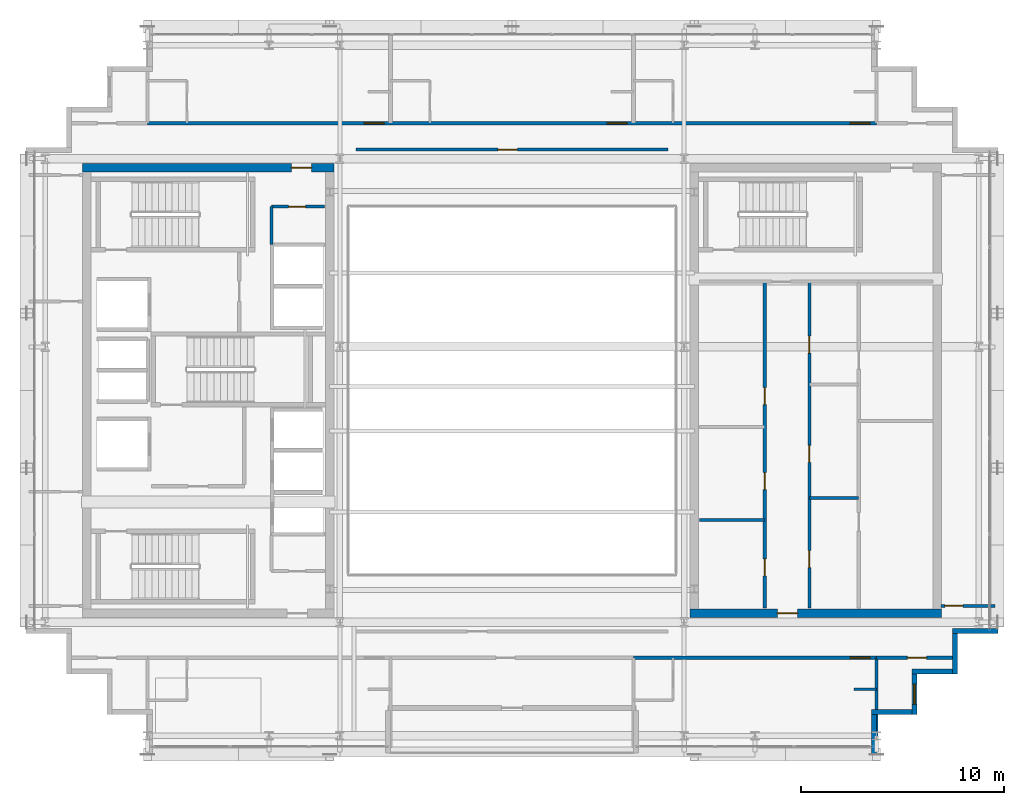
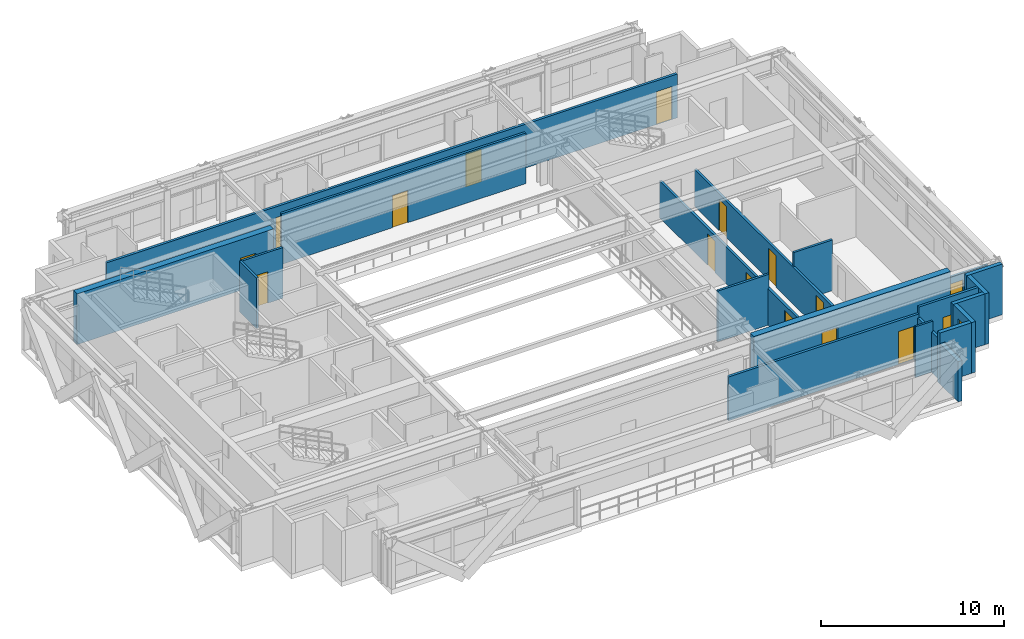
# One storey, part 23 of 29: 21 walls, 16 doors, 1 window, 17 openings.
"""IFC4 building model written with IfcOpenShell, lengths in metres."""

from ifc_helpers import new_model, si_unit, direction, frame, frame_2d, origin, place, context, subcontext, project, spatial, rectangle, extrude, source, transform, mapped, material, layer, layer_set, type_object, element, fill, save


model = new_model("IFC4")

# Units and contexts
model_context = context("Model", 3, precision=1e-05, world=origin(), true_north=direction((0.0, 1.0)))
body_context = subcontext(model_context, "Body", "Model", "MODEL_VIEW")
ifc_project = project(units=[si_unit("LENGTHUNIT", "METRE"), si_unit("AREAUNIT", "SQUARE_METRE"), si_unit("VOLUMEUNIT", "CUBIC_METRE"), si_unit("PLANEANGLEUNIT", "RADIAN"), si_unit("MASSUNIT", "GRAM", prefix="KILO")], contexts=[model_context])

# Site, building, storey
site_placement = place(None, origin())
site = spatial("IfcSite", under=ifc_project, at=site_placement, CompositionType="ELEMENT")
building_placement = place(site_placement, origin())
building = spatial("IfcBuilding", under=site, at=building_placement, Name="Ocotamira Hotel", CompositionType="ELEMENT")
storey_placement = place(building_placement, frame((0.0, 0.0, 247.199951171875)))
storey = spatial("IfcBuildingStorey", under=building, at=storey_placement, Name="L62", CompositionType="ELEMENT", Elevation=247.199951171875)

# Wall, opening, door
ifc_material_1 = material(Name="Concrete C50/60", Category="concrete")
ifc_layer_1 = layer(ifc_material_1, 0.39990234375)
ifc_layer_set_1 = layer_set([ifc_layer_1], Name="Concrete C50/60")
wall_type_1 = type_object("IfcWallType", Name="WL-CORE-400", PredefinedType="SHEAR", material=ifc_layer_set_1)
wall_1_placement = place(storey_placement, frame((10.800048828125, 37.0, 0.0), z_axis=(0.0, 0.0, 1.0), x_axis=(1.0, 0.0, 0.0)))
wall_1 = element("IfcWall", 1, at=wall_1_placement, inside=storey, type_object=wall_type_1, Name="L62 Shear Core Wall WCORE-N", PredefinedType="SHEAR", context=body_context, shape_type="SweptSolid", body=[
    extrude(rectangle(XDim=12.39990234375, YDim=0.39990234375, at=frame_2d((6.199951171875, 0.0))), origin(), (0.0, 0.0, 1.0), 3.380126953125),
])
opening_1_placement = place(wall_1_placement, frame((10.300048828125, 0.0, 0.0)))
opening_1 = element("IfcOpeningElement", 2, at=opening_1_placement, cuts=wall_1, Name="Opening D-FR2", PredefinedType="OPENING", context=body_context, shape_type="SweptSolid", body=[
    extrude(rectangle(XDim=1.0, YDim=2.14990234375, at=frame_2d((0.5, 1.074951171875))), frame((0.0, 0.2099609375, 0.0), z_axis=(0.0, -1.0, 0.0), x_axis=(1.0, 0.0, 0.0)), (0.0, 0.0, 1.0), 0.419921875),
])
ifc_material_2 = material(Name="Fire-rated acoustic timber-veneer door", Category="wood")
door_type_1 = type_object("IfcDoorType", Name="DR-FIRE-1000", OperationType="NOTDEFINED", PredefinedType="DOOR", material=ifc_material_2)
shared_shape_1 = source(origin(), body_context, "Body", "SweptSolid", [
    extrude(rectangle(XDim=1.0, YDim=2.14990234375, at=frame_2d((0.5, 1.074951171875))), frame((0.0, 0.02490234375, 0.0), z_axis=(0.0, -1.0, 0.0), x_axis=(1.0, 0.0, 0.0)), (0.0, 0.0, 1.0), 0.050048828125),
])
door_1_placement = place(opening_1_placement, origin())
door_1 = element("IfcDoor", 3, at=door_1_placement, inside=storey, type_object=door_type_1, Name="L62 Door ID-L62-WLOB-N-D [ID-L62-WLOB-N-D]", OperationType="SINGLE_SWING_RIGHT", OverallHeight=2.14990234375, OverallWidth=1.0, PredefinedType="DOOR", context=body_context, shape_type="MappedRepresentation", body=[
    mapped(shared_shape_1, transform((0.0, 0.0, 0.0), scale=1.0)),
])
fill(opening_1, door_1)

wall_2_placement = place(storey_placement, frame((40.800048828125, 15.0, 0.0), z_axis=(0.0, 0.0, 1.0), x_axis=(1.0, 0.0, 0.0)))
wall_2 = element("IfcWall", 4, at=wall_2_placement, inside=storey, type_object=wall_type_1, Name="L62 Shear Core Wall ECORE-S", PredefinedType="SHEAR", context=body_context, shape_type="SweptSolid", body=[
    extrude(rectangle(XDim=12.39990234375, YDim=0.39990234375, at=frame_2d((6.199951171875, 0.0))), origin(), (0.0, 0.0, 1.0), 3.380126953125),
])
opening_2_placement = place(wall_2_placement, frame((4.300048828125, 0.0, 0.0)))
opening_2 = element("IfcOpeningElement", 5, at=opening_2_placement, cuts=wall_2, Name="Opening D-FR2", PredefinedType="OPENING", context=body_context, shape_type="SweptSolid", body=[
    extrude(rectangle(XDim=1.0, YDim=2.14990234375, at=frame_2d((0.5, 1.074951171875))), frame((0.0, 0.2099609375, 0.0), z_axis=(0.0, -1.0, 0.0), x_axis=(1.0, 0.0, 0.0)), (0.0, 0.0, 1.0), 0.419921875),
])
door_2_placement = place(opening_2_placement, origin())
door_2 = element("IfcDoor", 6, at=door_2_placement, inside=storey, type_object=door_type_1, Name="L62 Door ID-L62-ELOB-S-D [ID-L62-ELOB-S-D]", OperationType="SINGLE_SWING_RIGHT", OverallHeight=2.14990234375, OverallWidth=1.0, PredefinedType="DOOR", context=body_context, shape_type="MappedRepresentation", body=[
    mapped(shared_shape_1, transform((0.0, 0.0, 0.0), scale=1.0)),
])
fill(opening_2, door_2)

# Walls
ifc_material_3 = material(Name="Precast concrete C45/55", Category="concrete")
ifc_layer_2 = layer(ifc_material_3, 0.25)
ifc_layer_set_2 = layer_set([ifc_layer_2], Name="Precast concrete C45/55")
wall_type_2 = type_object("IfcWallType", Name="WL-EXT-SER-250", PredefinedType="SOLIDWALL", material=ifc_layer_set_2)
wall_3_placement = place(storey_placement, frame((49.875, 8.0, 0.0), z_axis=(0.0, 0.0, 1.0), x_axis=(0.0, 1.0, 0.0)))
element("IfcWall", 7, at=wall_3_placement, inside=storey, type_object=wall_type_2, Name="L62 Serrated Corner Wall 01", PredefinedType="SOLIDWALL", context=body_context, shape_type="SweptSolid", body=[
    extrude(rectangle(XDim=2.0, YDim=0.25, at=frame_2d((1.0, 0.0))), origin(), (0.0, 0.0, 1.0), 2.68701171875),
])
wall_4_placement = place(storey_placement, frame((49.75, 10.125, 0.0), z_axis=(0.0, 0.0, 1.0), x_axis=(1.0, 0.0, 0.0)))
element("IfcWall", 8, at=wall_4_placement, inside=storey, type_object=wall_type_2, Name="L62 Serrated Corner Wall 02", PredefinedType="SOLIDWALL", context=body_context, shape_type="SweptSolid", body=[
    extrude(rectangle(XDim=2.0, YDim=0.25, at=frame_2d((1.0, 0.0))), origin(), (0.0, 0.0, 1.0), 3.380126953125),
])

# Wall, opening, window
wall_5_placement = place(storey_placement, frame((51.875, 10.0, 0.0), z_axis=(0.0, 0.0, 1.0), x_axis=(0.0, 1.0, 0.0)))
wall_5 = element("IfcWall", 9, at=wall_5_placement, inside=storey, type_object=wall_type_2, Name="L62 Serrated Corner Wall 03", PredefinedType="SOLIDWALL", context=body_context, shape_type="SweptSolid", body=[
    extrude(rectangle(XDim=2.0, YDim=0.25, at=frame_2d((1.0, 0.0))), origin(), (0.0, 0.0, 1.0), 3.380126953125),
])
opening_3_placement = place(wall_5_placement, frame((0.5, 0.0, 0.85009765625)))
opening_3 = element("IfcOpeningElement", 10, at=opening_3_placement, cuts=wall_5, Name="Opening WN-2", PredefinedType="OPENING", context=body_context, shape_type="SweptSolid", body=[
    extrude(rectangle(XDim=1.0, YDim=1.89990234375, at=frame_2d((0.5, 0.949951171875))), frame((0.0, 0.135009765625, 0.0), z_axis=(0.0, -1.0, 0.0), x_axis=(1.0, 0.0, 0.0)), (0.0, 0.0, 1.0), 0.27001953125),
])
ifc_material_4 = material(Name="Double-silver low-E solar glass", Category="glass")
window_type = type_object("IfcWindowType", Name="WIN-SER-1100", PartitioningType="SINGLE_PANEL", PredefinedType="WINDOW", material=ifc_material_4)
shared_shape_2 = source(origin(), body_context, "Body", "SweptSolid", [
    extrude(rectangle(XDim=1.0, YDim=1.89990234375, at=frame_2d((0.5, 0.949951171875))), frame((0.0, 0.030029296875, 0.0), z_axis=(0.0, -1.0, 0.0), x_axis=(1.0, 0.0, 0.0)), (0.0, 0.0, 1.0), 0.06005859375),
])
window_placement = place(opening_3_placement, origin())
window = element("IfcWindow", 11, at=window_placement, inside=storey, type_object=window_type, Name="L62 Serrated Corner Window 03", OverallHeight=1.89990234375, OverallWidth=1.0, PartitioningType="SINGLE_PANEL", PredefinedType="WINDOW", context=body_context, shape_type="MappedRepresentation", body=[
    mapped(shared_shape_2, transform((0.0, 0.0, 0.0), scale=1.0)),
])
fill(opening_3, window)

# Walls
for number, where, z_axis, x_axis, name in (
    (12, (51.75, 12.125, 0.0), (0.0, 0.0, 1.0), (1.0, 0.0, 0.0), "L62 Serrated Corner Wall 04"),
    (13, (53.875, 12.0, 0.0), (0.0, 0.0, 1.0), (0.0, 1.0, 0.0), "L62 Serrated Corner Wall 05"),
):
    element("IfcWall", number, at=place(storey_placement, frame(where, z_axis=z_axis, x_axis=x_axis)), inside=storey, type_object=wall_type_2, Name=name, PredefinedType="SOLIDWALL", context=body_context, shape_type="SweptSolid", body=[
        extrude(rectangle(XDim=2.0, YDim=0.25, at=frame_2d((1.0, 0.0))), origin(), (0.0, 0.0, 1.0), 3.380126953125),
    ])
wall_6_placement = place(storey_placement, frame((53.75, 14.125, 0.0), z_axis=(0.0, 0.0, 1.0), x_axis=(1.0, 0.0, 0.0)))
element("IfcWall", 14, at=wall_6_placement, inside=storey, type_object=wall_type_2, Name="L62 Serrated Corner Wall 06", PredefinedType="SOLIDWALL", context=body_context, shape_type="SweptSolid", body=[
    extrude(rectangle(XDim=2.25, YDim=0.25, at=frame_2d((1.125, 0.0))), origin(), (0.0, 0.0, 1.0), 3.380126953125),
])

# Wall, opening, door
ifc_material_5 = material(Name="Acoustic double-layer fire gypsum board partition", Category="gypsum")
ifc_layer_3 = layer(ifc_material_5, 0.159912109375)
ifc_layer_set_3 = layer_set([ifc_layer_3], Name="Acoustic double-layer fire gypsum board partition")
wall_type_3 = type_object("IfcWallType", Name="WL-FIRE-160", PredefinedType="PARTITIONING", material=ifc_layer_set_3)
wall_7_placement = place(storey_placement, frame((38.0, 12.800048828125, 0.0), z_axis=(0.0, 0.0, 1.0), x_axis=(1.0, 0.0, 0.0)))
wall_7 = element("IfcWall", 15, at=wall_7_placement, inside=storey, type_object=wall_type_3, Name="L62 Interior Wall PW-L62-Z4CSE-CORRW", PredefinedType="PARTITIONING", context=body_context, shape_type="SweptSolid", body=[
    extrude(rectangle(XDim=12.0, YDim=0.159912109375, at=frame_2d((6.0, 0.0))), origin(), (0.0, 0.0, 1.0), 2.923095703125),
])
opening_4_placement = place(wall_7_placement, frame((10.699951171875, 0.0, 0.0)))
opening_4 = element("IfcOpeningElement", 16, at=opening_4_placement, cuts=wall_7, Name="Opening D-GR2", PredefinedType="OPENING", context=body_context, shape_type="SweptSolid", body=[
    extrude(rectangle(XDim=0.97998046875, YDim=2.199951171875, at=frame_2d((0.489990234375, 1.10009765625))), frame((0.0, 0.08984375, 0.0), z_axis=(0.0, -1.0, 0.0), x_axis=(1.0, 0.0, 0.0)), (0.0, 0.0, 1.0), 0.179931640625),
])
ifc_material_6 = material(Name="Solid-core walnut grand-suite entrance fire door", Category="wood")
door_type_2 = type_object("IfcDoorType", Name="DR-GUEST-980", OperationType="NOTDEFINED", PredefinedType="DOOR", material=ifc_material_6)
shared_shape_3 = source(origin(), body_context, "Body", "SweptSolid", [
    extrude(rectangle(XDim=0.97998046875, YDim=2.199951171875, at=frame_2d((0.489990234375, 1.10009765625))), frame((0.0, 0.02490234375, 0.0), z_axis=(0.0, -1.0, 0.0), x_axis=(1.0, 0.0, 0.0)), (0.0, 0.0, 1.0), 0.050048828125),
])
door_3_placement = place(opening_4_placement, origin())
door_3 = element("IfcDoor", 17, at=door_3_placement, inside=storey, type_object=door_type_2, Name="L62 Door ID-L62-Z4CSE-RMD1 [ID-L62-Z4CSE-RMD1]", OperationType="SINGLE_SWING_LEFT", OverallHeight=2.199951171875, OverallWidth=0.97998046875, PredefinedType="DOOR", context=body_context, shape_type="MappedRepresentation", body=[
    mapped(shared_shape_3, transform((0.0, 0.0, 0.0), scale=1.0)),
])
fill(opening_4, door_3)

# Wall, openings, doors
wall_8_placement = place(storey_placement, frame((14.0, 39.199951171875, 0.0), z_axis=(0.0, 0.0, 1.0), x_axis=(1.0, 0.0, 0.0)))
wall_8 = element("IfcWall", 18, at=wall_8_placement, inside=storey, type_object=wall_type_3, Name="L62 Interior Wall PW-L62-Z4CN-CORRW", PredefinedType="PARTITIONING", context=body_context, shape_type="SweptSolid", body=[
    extrude(rectangle(XDim=36.0, YDim=0.159912109375, at=frame_2d((18.0, 0.0))), origin(), (0.0, 0.0, 1.0), 2.923095703125),
])
opening_5_placement = place(wall_8_placement, frame((10.699951171875, 0.0, 0.0)))
opening_5 = element("IfcOpeningElement", 19, at=opening_5_placement, cuts=wall_8, Name="Opening D-GR2", PredefinedType="OPENING", context=body_context, shape_type="SweptSolid", body=[
    extrude(rectangle(XDim=0.97998046875, YDim=2.199951171875, at=frame_2d((0.489990234375, 1.10009765625))), frame((0.0, 0.08984375, 0.0), z_axis=(0.0, -1.0, 0.0), x_axis=(1.0, 0.0, 0.0)), (0.0, 0.0, 1.0), 0.179931640625),
])
opening_6_placement = place(wall_8_placement, frame((22.699951171875, 0.0, 0.0)))
opening_6 = element("IfcOpeningElement", 20, at=opening_6_placement, cuts=wall_8, Name="Opening D-GR2", PredefinedType="OPENING", context=body_context, shape_type="SweptSolid", body=[
    extrude(rectangle(XDim=0.97998046875, YDim=2.199951171875, at=frame_2d((0.489990234375, 1.10009765625))), frame((0.0, 0.08984375, 0.0), z_axis=(0.0, -1.0, 0.0), x_axis=(1.0, 0.0, 0.0)), (0.0, 0.0, 1.0), 0.179931640625),
])
opening_7_placement = place(wall_8_placement, frame((34.699951171875, 0.0, 0.0)))
opening_7 = element("IfcOpeningElement", 21, at=opening_7_placement, cuts=wall_8, Name="Opening D-GR2", PredefinedType="OPENING", context=body_context, shape_type="SweptSolid", body=[
    extrude(rectangle(XDim=0.97998046875, YDim=2.199951171875, at=frame_2d((0.489990234375, 1.10009765625))), frame((0.0, 0.08984375, 0.0), z_axis=(0.0, -1.0, 0.0), x_axis=(1.0, 0.0, 0.0)), (0.0, 0.0, 1.0), 0.179931640625),
])
door_4_placement = place(opening_5_placement, origin())
door_4 = element("IfcDoor", 22, at=door_4_placement, inside=storey, type_object=door_type_2, Name="L62 Door ID-L62-Z4CN-RMD1 [ID-L62-Z4CN-RMD1]", OperationType="SINGLE_SWING_LEFT", OverallHeight=2.199951171875, OverallWidth=0.97998046875, PredefinedType="DOOR", context=body_context, shape_type="MappedRepresentation", body=[
    mapped(shared_shape_3, transform((0.0, 0.0, 0.0), scale=1.0)),
])
fill(opening_5, door_4)
door_5_placement = place(opening_6_placement, origin())
door_5 = element("IfcDoor", 23, at=door_5_placement, inside=storey, type_object=door_type_2, Name="L62 Door ID-L62-Z4CN-RMD2 [ID-L62-Z4CN-RMD2]", OperationType="SINGLE_SWING_RIGHT", OverallHeight=2.199951171875, OverallWidth=0.97998046875, PredefinedType="DOOR", context=body_context, shape_type="MappedRepresentation", body=[
    mapped(shared_shape_3, transform((0.0, 0.0, 0.0), scale=1.0)),
])
fill(opening_6, door_5)
door_6_placement = place(opening_7_placement, origin())
door_6 = element("IfcDoor", 24, at=door_6_placement, inside=storey, type_object=door_type_2, Name="L62 Door ID-L62-Z4CN-RMD3 [ID-L62-Z4CN-RMD3]", OperationType="SINGLE_SWING_LEFT", OverallHeight=2.199951171875, OverallWidth=0.97998046875, PredefinedType="DOOR", context=body_context, shape_type="MappedRepresentation", body=[
    mapped(shared_shape_3, transform((0.0, 0.0, 0.0), scale=1.0)),
])
fill(opening_7, door_6)

# Wall, opening, door
wall_9_placement = place(storey_placement, frame((50.0, 12.800048828125, 0.0), z_axis=(0.0, 0.0, 1.0), x_axis=(1.0, 0.0, 0.0)))
wall_9 = element("IfcWall", 25, at=wall_9_placement, inside=storey, type_object=wall_type_3, Name="L62 Interior Wall PW-L62-Z4CSE-CW", PredefinedType="PARTITIONING", context=body_context, shape_type="SweptSolid", body=[
    extrude(rectangle(XDim=4.0, YDim=0.159912109375, at=frame_2d((2.0, 0.0))), origin(), (0.0, 0.0, 1.0), 3.380126953125),
])
opening_8_placement = place(wall_9_placement, frame((1.52001953125, 0.0, 0.0)))
opening_8 = element("IfcOpeningElement", 26, at=opening_8_placement, cuts=wall_9, Name="Opening D-SV4", PredefinedType="OPENING", context=body_context, shape_type="SweptSolid", body=[
    extrude(rectangle(XDim=0.9599609375, YDim=2.14990234375, at=frame_2d((0.47998046875, 1.074951171875))), frame((0.0, 0.08984375, 0.0), z_axis=(0.0, -1.0, 0.0), x_axis=(1.0, 0.0, 0.0)), (0.0, 0.0, 1.0), 0.179931640625),
])
ifc_material_7 = material(Name="Fire-rated accessible walnut salon door", Category="wood")
door_type_3 = type_object("IfcDoorType", Name="DR-SERV-960", OperationType="NOTDEFINED", PredefinedType="DOOR", material=ifc_material_7)
shared_shape_4 = source(origin(), body_context, "Body", "SweptSolid", [
    extrude(rectangle(XDim=0.9599609375, YDim=2.14990234375, at=frame_2d((0.47998046875, 1.074951171875))), frame((0.0, 0.02490234375, 0.0), z_axis=(0.0, -1.0, 0.0), x_axis=(1.0, 0.0, 0.0)), (0.0, 0.0, 1.0), 0.050048828125),
])
door_7_placement = place(opening_8_placement, origin())
door_7 = element("IfcDoor", 27, at=door_7_placement, inside=storey, type_object=door_type_3, Name="L62 Door ID-L62-Z4CSE-CD [ID-L62-Z4CSE-CD]", OperationType="SINGLE_SWING_LEFT", OverallHeight=2.14990234375, OverallWidth=0.9599609375, PredefinedType="DOOR", context=body_context, shape_type="MappedRepresentation", body=[
    mapped(shared_shape_4, transform((0.0, 0.0, 0.0), scale=1.0)),
])
fill(opening_8, door_7)

# Walls
ifc_material_8 = material(Name="Moisture-resistant en-suite tile and gypsum partition", Category="gypsum")
ifc_layer_4 = layer(ifc_material_8, 0.1201171875)
ifc_layer_set_4 = layer_set([ifc_layer_4], Name="Moisture-resistant en-suite tile and gypsum partition")
wall_type_4 = type_object("IfcWallType", Name="WL-PART-120", PredefinedType="PARTITIONING", material=ifc_layer_set_4)
wall_10_placement = place(storey_placement, frame((48.89990234375, 11.25, 0.0), z_axis=(0.0, 0.0, 1.0), x_axis=(1.0, 0.0, 0.0)))
element("IfcWall", 28, at=wall_10_placement, inside=storey, type_object=wall_type_4, Name="L62 Interior Wall PW-L62-Z4CSE-DRN1", PredefinedType="PARTITIONING", context=body_context, shape_type="SweptSolid", body=[
    extrude(rectangle(XDim=1.10009765625, YDim=0.1201171875, at=frame_2d((0.550048828125, 0.0))), origin(), (0.0, 0.0, 1.0), 3.380126953125),
])
ifc_material_9 = material(Name="Acoustic hospitality gypsum board partition", Category="gypsum")
ifc_layer_5 = layer(ifc_material_9, 0.14208984375)
ifc_layer_set_5 = layer_set([ifc_layer_5], Name="Acoustic hospitality gypsum board partition")
wall_type_5 = type_object("IfcWallType", Name="WL-PART-142", PredefinedType="PARTITIONING", material=ifc_layer_set_5)
wall_11_placement = place(storey_placement, frame((20.1201171875, 33.219970703125, 0.0), z_axis=(0.0, 0.0, 1.0), x_axis=(0.0, 1.0, 0.0)))
element("IfcWall", 29, at=wall_11_placement, inside=storey, type_object=wall_type_5, Name="L62 Interior Wall PW-L62-WC-NE-W2", PredefinedType="PARTITIONING", context=body_context, shape_type="SweptSolid", body=[
    extrude(rectangle(XDim=1.860107421875, YDim=0.14208984375, at=frame_2d((0.93017578125, 0.0))), origin(), (0.0, 0.0, 1.0), 3.380126953125),
])

# Wall, opening, door
wall_12_placement = place(storey_placement, frame((20.1201171875, 35.080078125, 0.0), z_axis=(0.0, 0.0, 1.0), x_axis=(1.0, 0.0, 0.0)))
wall_12 = element("IfcWall", 30, at=wall_12_placement, inside=storey, type_object=wall_type_5, Name="L62 Interior Wall PW-L62-WC-NE-N2", PredefinedType="PARTITIONING", context=body_context, shape_type="SweptSolid", body=[
    extrude(rectangle(XDim=2.6298828125, YDim=0.14208984375, at=frame_2d((1.31494140625, 0.0))), origin(), (0.0, 0.0, 1.0), 3.380126953125),
])
opening_9_placement = place(wall_12_placement, frame((0.85009765625, 0.0, 0.0)))
opening_9 = element("IfcOpeningElement", 31, at=opening_9_placement, cuts=wall_12, Name="Opening D-SV1", PredefinedType="OPENING", context=body_context, shape_type="SweptSolid", body=[
    extrude(rectangle(XDim=0.840087890625, YDim=2.10009765625, at=frame_2d((0.419921875, 1.050048828125))), frame((0.0, 0.0810546875, 0.0), z_axis=(0.0, -1.0, 0.0), x_axis=(1.0, 0.0, 0.0)), (0.0, 0.0, 1.0), 0.162109375),
])
ifc_material_10 = material(Name="Fire-rated painted steel service door", Category="steel")
door_type_4 = type_object("IfcDoorType", Name="DR-SERV-840", OperationType="NOTDEFINED", PredefinedType="DOOR", material=ifc_material_10)
shared_shape_5 = source(origin(), body_context, "Body", "SweptSolid", [
    extrude(rectangle(XDim=0.840087890625, YDim=2.10009765625, at=frame_2d((0.419921875, 1.050048828125))), frame((0.0, 0.02490234375, 0.0), z_axis=(0.0, -1.0, 0.0), x_axis=(1.0, 0.0, 0.0)), (0.0, 0.0, 1.0), 0.050048828125),
])
door_8_placement = place(opening_9_placement, origin())
door_8 = element("IfcDoor", 32, at=door_8_placement, inside=storey, type_object=door_type_4, Name="L62 Door ID-L62-WC-NE-D2 [ID-L62-WC-NE-D2]", OperationType="SINGLE_SWING_RIGHT", OverallHeight=2.10009765625, OverallWidth=0.840087890625, PredefinedType="DOOR", context=body_context, shape_type="MappedRepresentation", body=[
    mapped(shared_shape_5, transform((0.0, 0.0, 0.0), scale=1.0)),
])
fill(opening_9, door_8)

# Walls
wall_13_placement = place(storey_placement, frame((46.679931640625, 20.699951171875, 0.0), z_axis=(0.0, 0.0, 1.0), x_axis=(1.0, 0.0, 0.0)))
element("IfcWall", 33, at=wall_13_placement, inside=storey, type_object=wall_type_5, Name="L62 Interior Wall PW-L62-EC-HDIVA", PredefinedType="PARTITIONING", context=body_context, shape_type="SweptSolid", body=[
    extrude(rectangle(XDim=2.440185546875, YDim=0.14208984375, at=frame_2d((1.22021484375, 0.0))), origin(), (0.0, 0.0, 1.0), 3.380126953125),
])
wall_14_placement = place(storey_placement, frame((41.25, 19.60009765625, 0.0), z_axis=(0.0, 0.0, 1.0), x_axis=(1.0, 0.0, 0.0)))
element("IfcWall", 34, at=wall_14_placement, inside=storey, type_object=wall_type_5, Name="L62 Interior Wall PW-L62-EC-FMD1", PredefinedType="PARTITIONING", context=body_context, shape_type="SweptSolid", body=[
    extrude(rectangle(XDim=3.22998046875, YDim=0.14208984375, at=frame_2d((1.614990234375, 0.0))), origin(), (0.0, 0.0, 1.0), 3.380126953125),
])

# Wall, openings, doors
ifc_layer_6 = layer(ifc_material_9, 0.14990234375)
ifc_layer_set_6 = layer_set([ifc_layer_6], Name="Acoustic hospitality gypsum board partition")
wall_type_6 = type_object("IfcWallType", Name="WL-PART-150", PredefinedType="PARTITIONING", material=ifc_layer_set_6)
wall_15_placement = place(storey_placement, frame((46.679931640625, 15.25, 0.0), z_axis=(0.0, 0.0, 1.0), x_axis=(0.0, 1.0, 0.0)))
wall_15 = element("IfcWall", 35, at=wall_15_placement, inside=storey, type_object=wall_type_6, Name="L62 Interior Wall PW-L62-EC-HMT-W", PredefinedType="PARTITIONING", context=body_context, shape_type="SweptSolid", body=[
    extrude(rectangle(XDim=16.1298828125, YDim=0.14990234375, at=frame_2d((8.06494140625, 0.0))), origin(), (0.0, 0.0, 1.0), 2.453125),
])
opening_10_placement = place(wall_15_placement, frame((2.0, 0.0, 0.0)))
opening_10 = element("IfcOpeningElement", 36, at=opening_10_placement, cuts=wall_15, Name="Opening D-SV1", PredefinedType="OPENING", context=body_context, shape_type="SweptSolid", body=[
    extrude(rectangle(XDim=0.840087890625, YDim=2.10009765625, at=frame_2d((0.419921875, 1.050048828125))), frame((0.0, 0.0849609375, 0.0), z_axis=(0.0, -1.0, 0.0), x_axis=(1.0, 0.0, 0.0)), (0.0, 0.0, 1.0), 0.169921875),
])
opening_11_placement = place(wall_15_placement, frame((7.199951171875, 0.0, 0.0)))
opening_11 = element("IfcOpeningElement", 37, at=opening_11_placement, cuts=wall_15, Name="Opening D-SV1", PredefinedType="OPENING", context=body_context, shape_type="SweptSolid", body=[
    extrude(rectangle(XDim=0.840087890625, YDim=2.10009765625, at=frame_2d((0.419921875, 1.050048828125))), frame((0.0, 0.0849609375, 0.0), z_axis=(0.0, -1.0, 0.0), x_axis=(1.0, 0.0, 0.0)), (0.0, 0.0, 1.0), 0.169921875),
])
opening_12_placement = place(wall_15_placement, frame((12.60009765625, 0.0, 0.0)))
opening_12 = element("IfcOpeningElement", 38, at=opening_12_placement, cuts=wall_15, Name="Opening D-SV1", PredefinedType="OPENING", context=body_context, shape_type="SweptSolid", body=[
    extrude(rectangle(XDim=0.840087890625, YDim=2.10009765625, at=frame_2d((0.419921875, 1.050048828125))), frame((0.0, 0.0849609375, 0.0), z_axis=(0.0, -1.0, 0.0), x_axis=(1.0, 0.0, 0.0)), (0.0, 0.0, 1.0), 0.169921875),
])
door_9_placement = place(opening_10_placement, origin())
door_9 = element("IfcDoor", 39, at=door_9_placement, inside=storey, type_object=door_type_4, Name="L62 Door ID-L62-EC-HMTDA [ID-L62-EC-HMTDA]", OperationType="SINGLE_SWING_LEFT", OverallHeight=2.10009765625, OverallWidth=0.840087890625, PredefinedType="DOOR", context=body_context, shape_type="MappedRepresentation", body=[
    mapped(shared_shape_5, transform((0.0, 0.0, 0.0), scale=1.0)),
])
fill(opening_10, door_9)
door_10_placement = place(opening_11_placement, origin())
door_10 = element("IfcDoor", 40, at=door_10_placement, inside=storey, type_object=door_type_4, Name="L62 Door ID-L62-EC-HMTDB [ID-L62-EC-HMTDB]", OperationType="SINGLE_SWING_RIGHT", OverallHeight=2.10009765625, OverallWidth=0.840087890625, PredefinedType="DOOR", context=body_context, shape_type="MappedRepresentation", body=[
    mapped(shared_shape_5, transform((0.0, 0.0, 0.0), scale=1.0)),
])
fill(opening_11, door_10)
door_11_placement = place(opening_12_placement, origin())
door_11 = element("IfcDoor", 41, at=door_11_placement, inside=storey, type_object=door_type_4, Name="L62 Door ID-L62-EC-HMTDC [ID-L62-EC-HMTDC]", OperationType="SINGLE_SWING_LEFT", OverallHeight=2.10009765625, OverallWidth=0.840087890625, PredefinedType="DOOR", context=body_context, shape_type="MappedRepresentation", body=[
    mapped(shared_shape_5, transform((0.0, 0.0, 0.0), scale=1.0)),
])
fill(opening_12, door_11)

wall_16_placement = place(storey_placement, frame((44.47998046875, 15.25, 0.0), z_axis=(0.0, 0.0, 1.0), x_axis=(0.0, 1.0, 0.0)))
wall_16 = element("IfcWall", 42, at=wall_16_placement, inside=storey, type_object=wall_type_6, Name="L62 Interior Wall PW-L62-EC-FMID-E", PredefinedType="PARTITIONING", context=body_context, shape_type="SweptSolid", body=[
    extrude(rectangle(XDim=16.1298828125, YDim=0.14990234375, at=frame_2d((8.06494140625, 0.0))), origin(), (0.0, 0.0, 1.0), 2.453125),
])
opening_13_placement = place(wall_16_placement, frame((1.60009765625, 0.0, 0.0)))
opening_13 = element("IfcOpeningElement", 43, at=opening_13_placement, cuts=wall_16, Name="Opening D-SV1", PredefinedType="OPENING", context=body_context, shape_type="SweptSolid", body=[
    extrude(rectangle(XDim=0.840087890625, YDim=2.10009765625, at=frame_2d((0.419921875, 1.050048828125))), frame((0.0, 0.0849609375, 0.0), z_axis=(0.0, -1.0, 0.0), x_axis=(1.0, 0.0, 0.0)), (0.0, 0.0, 1.0), 0.169921875),
])
opening_14_placement = place(wall_16_placement, frame((5.85009765625, 0.0, 0.0)))
opening_14 = element("IfcOpeningElement", 44, at=opening_14_placement, cuts=wall_16, Name="Opening D-SV1", PredefinedType="OPENING", context=body_context, shape_type="SweptSolid", body=[
    extrude(rectangle(XDim=0.840087890625, YDim=2.10009765625, at=frame_2d((0.419921875, 1.050048828125))), frame((0.0, 0.0849609375, 0.0), z_axis=(0.0, -1.0, 0.0), x_axis=(1.0, 0.0, 0.0)), (0.0, 0.0, 1.0), 0.169921875),
])
opening_15_placement = place(wall_16_placement, frame((10.050048828125, 0.0, 0.0)))
opening_15 = element("IfcOpeningElement", 45, at=opening_15_placement, cuts=wall_16, Name="Opening D-SV1", PredefinedType="OPENING", context=body_context, shape_type="SweptSolid", body=[
    extrude(rectangle(XDim=0.840087890625, YDim=2.10009765625, at=frame_2d((0.419921875, 1.050048828125))), frame((0.0, 0.0849609375, 0.0), z_axis=(0.0, -1.0, 0.0), x_axis=(1.0, 0.0, 0.0)), (0.0, 0.0, 1.0), 0.169921875),
])
door_12_placement = place(opening_13_placement, origin())
door_12 = element("IfcDoor", 46, at=door_12_placement, inside=storey, type_object=door_type_4, Name="L62 Door ID-L62-EC-FMD-1 [ID-L62-EC-FMD-1]", OperationType="SINGLE_SWING_LEFT", OverallHeight=2.10009765625, OverallWidth=0.840087890625, PredefinedType="DOOR", context=body_context, shape_type="MappedRepresentation", body=[
    mapped(shared_shape_5, transform((0.0, 0.0, 0.0), scale=1.0)),
])
fill(opening_13, door_12)
door_13_placement = place(opening_14_placement, origin())
door_13 = element("IfcDoor", 47, at=door_13_placement, inside=storey, type_object=door_type_4, Name="L62 Door ID-L62-EC-FMD-2 [ID-L62-EC-FMD-2]", OperationType="SINGLE_SWING_RIGHT", OverallHeight=2.10009765625, OverallWidth=0.840087890625, PredefinedType="DOOR", context=body_context, shape_type="MappedRepresentation", body=[
    mapped(shared_shape_5, transform((0.0, 0.0, 0.0), scale=1.0)),
])
fill(opening_14, door_13)
door_14_placement = place(opening_15_placement, origin())
door_14 = element("IfcDoor", 48, at=door_14_placement, inside=storey, type_object=door_type_4, Name="L62 Door ID-L62-EC-FMD-3 [ID-L62-EC-FMD-3]", OperationType="SINGLE_SWING_LEFT", OverallHeight=2.10009765625, OverallWidth=0.840087890625, PredefinedType="DOOR", context=body_context, shape_type="MappedRepresentation", body=[
    mapped(shared_shape_5, transform((0.0, 0.0, 0.0), scale=1.0)),
])
fill(opening_15, door_14)

# Wall, opening, door
wall_17_placement = place(storey_placement, frame((24.300048828125, 37.89990234375, 0.0), z_axis=(0.0, 0.0, 1.0), x_axis=(1.0, 0.0, 0.0)))
wall_17 = element("IfcWall", 49, at=wall_17_placement, inside=storey, type_object=wall_type_6, Name="L62 Interior Wall PW-L62-Z4C-ATRNS", PredefinedType="PARTITIONING", context=body_context, shape_type="SweptSolid", body=[
    extrude(rectangle(XDim=15.39990234375, YDim=0.14990234375, at=frame_2d((7.699951171875, 0.0))), origin(), (0.0, 0.0, 1.0), 3.380126953125),
])
opening_16_placement = place(wall_17_placement, frame((7.0, 0.0, 0.0)))
opening_16 = element("IfcOpeningElement", 50, at=opening_16_placement, cuts=wall_17, Name="Opening D-SV4", PredefinedType="OPENING", context=body_context, shape_type="SweptSolid", body=[
    extrude(rectangle(XDim=0.9599609375, YDim=2.14990234375, at=frame_2d((0.47998046875, 1.074951171875))), frame((0.0, 0.0849609375, 0.0), z_axis=(0.0, -1.0, 0.0), x_axis=(1.0, 0.0, 0.0)), (0.0, 0.0, 1.0), 0.169921875),
])
door_15_placement = place(opening_16_placement, origin())
door_15 = element("IfcDoor", 51, at=door_15_placement, inside=storey, type_object=door_type_3, Name="L62 Door ID-L62-Z4C-AND [ID-L62-Z4C-AND]", OperationType="SINGLE_SWING_RIGHT", OverallHeight=2.14990234375, OverallWidth=0.9599609375, PredefinedType="DOOR", context=body_context, shape_type="MappedRepresentation", body=[
    mapped(shared_shape_4, transform((0.0, 0.0, 0.0), scale=1.0)),
])
fill(opening_16, door_15)

wall_18_placement = place(storey_placement, frame((53.179931640625, 15.360107421875, 0.0), z_axis=(0.0, 0.0, 1.0), x_axis=(1.0, 0.0, 0.0)))
wall_18 = element("IfcWall", 52, at=wall_18_placement, inside=storey, type_object=wall_type_6, Name="L62 Interior Wall PW-L62-Z4CE-WS", PredefinedType="PARTITIONING", context=body_context, shape_type="SweptSolid", body=[
    extrude(rectangle(XDim=2.66015625, YDim=0.14990234375, at=frame_2d((1.330078125, 0.0))), origin(), (0.0, 0.0, 1.0), 2.60107421875),
])
opening_17_placement = place(wall_18_placement, frame((0.199951171875, 0.0, 0.0)))
opening_17 = element("IfcOpeningElement", 53, at=opening_17_placement, cuts=wall_18, Name="Opening D-SV2", PredefinedType="OPENING", context=body_context, shape_type="SweptSolid", body=[
    extrude(rectangle(XDim=0.8798828125, YDim=2.14990234375, at=frame_2d((0.43994140625, 1.074951171875))), frame((0.0, 0.0849609375, 0.0), z_axis=(0.0, -1.0, 0.0), x_axis=(1.0, 0.0, 0.0)), (0.0, 0.0, 1.0), 0.169921875),
])
door_type_5 = type_object("IfcDoorType", Name="DR-SERV-880", OperationType="NOTDEFINED", PredefinedType="DOOR", material=ifc_material_10)
shared_shape_6 = source(origin(), body_context, "Body", "SweptSolid", [
    extrude(rectangle(XDim=0.8798828125, YDim=2.14990234375, at=frame_2d((0.43994140625, 1.074951171875))), frame((0.0, 0.02490234375, 0.0), z_axis=(0.0, -1.0, 0.0), x_axis=(1.0, 0.0, 0.0)), (0.0, 0.0, 1.0), 0.050048828125),
])
door_16_placement = place(opening_17_placement, origin())
door_16 = element("IfcDoor", 54, at=door_16_placement, inside=storey, type_object=door_type_5, Name="L62 Door ID-L62-Z4CE-DS [ID-L62-Z4CE-DS]", OperationType="SINGLE_SWING_RIGHT", OverallHeight=2.14990234375, OverallWidth=0.8798828125, PredefinedType="DOOR", context=body_context, shape_type="MappedRepresentation", body=[
    mapped(shared_shape_6, transform((0.0, 0.0, 0.0), scale=1.0)),
])
fill(opening_17, door_16)

# Wall
ifc_material_11 = material(Name="Acoustic double-stud hospitality gypsum partition", Category="gypsum")
ifc_layer_7 = layer(ifc_material_11, 0.159912109375)
ifc_layer_set_7 = layer_set([ifc_layer_7], Name="Acoustic double-stud hospitality gypsum partition")
wall_type_7 = type_object("IfcWallType", Name="WL-PART-160", PredefinedType="PARTITIONING", material=ifc_layer_set_7)
wall_19_placement = place(storey_placement, frame((50.0, 8.360107421875, 0.0), z_axis=(0.0, 0.0, 1.0), x_axis=(0.0, 1.0, 0.0)))
element("IfcWall", 55, at=wall_19_placement, inside=storey, type_object=wall_type_7, Name="L62 Interior Wall PW-L62-Z4CSE-PWEND", PredefinedType="PARTITIONING", context=body_context, shape_type="SweptSolid", body=[
    extrude(rectangle(XDim=4.43994140625, YDim=0.159912109375, at=frame_2d((2.219970703125, 0.0))), origin(), (0.0, 0.0, 1.0), 2.68701171875),
])

save(model, "model.ifc")
